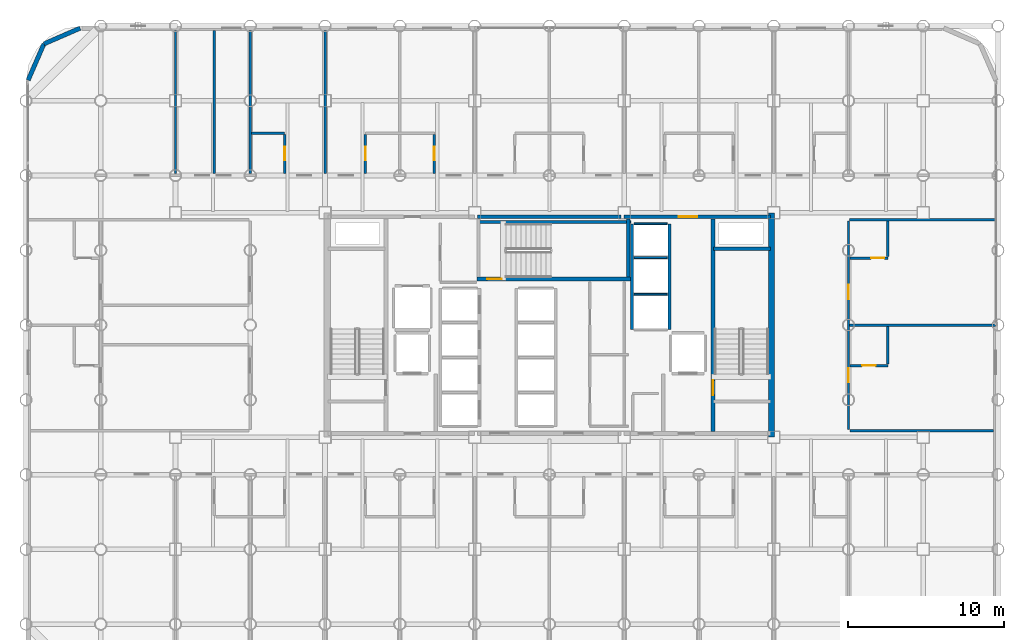
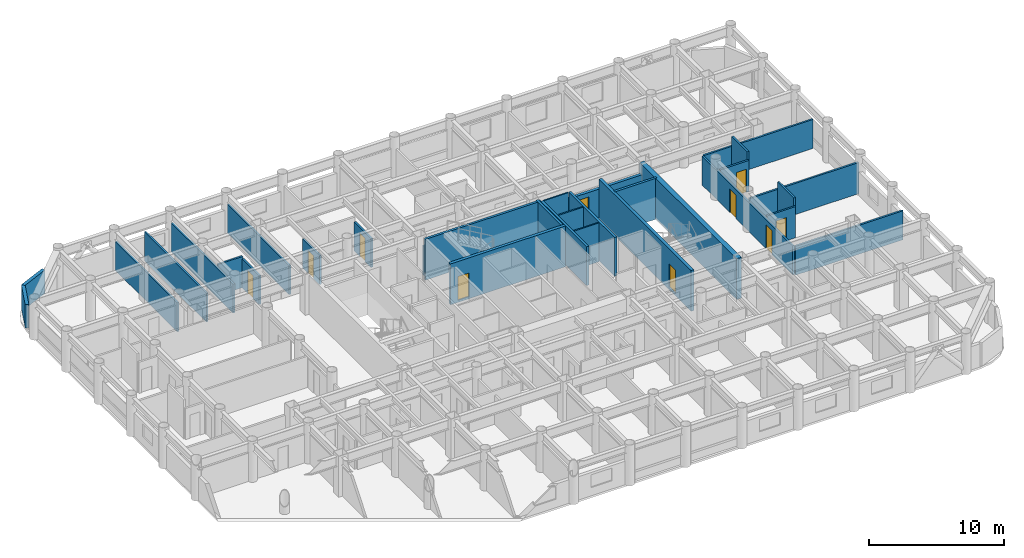
# One storey, part 19 of 22: 31 walls, 10 doors, 10 openings.
"""IFC4 building model written with IfcOpenShell, lengths in metres."""

from ifc_helpers import new_model, si_unit, direction, frame, frame_2d, origin, place, context, subcontext, project, spatial, rectangle, extrude, material, layer, layer_set, type_object, element, fill, save


model = new_model("IFC4")

# Units and contexts
model_context = context("Model", 3, precision=1e-05, world=origin(), true_north=direction((0.0, 1.0)))
body_context = subcontext(model_context, "Body", "Model", "MODEL_VIEW")
ifc_project = project(units=[si_unit("LENGTHUNIT", "METRE"), si_unit("AREAUNIT", "SQUARE_METRE"), si_unit("VOLUMEUNIT", "CUBIC_METRE"), si_unit("PLANEANGLEUNIT", "RADIAN"), si_unit("MASSUNIT", "GRAM", prefix="KILO")], contexts=[model_context])

# Site, building, storey
site_placement = place(None, origin())
site = spatial("IfcSite", under=ifc_project, at=site_placement, CompositionType="ELEMENT")
building_placement = place(site_placement, origin())
building = spatial("IfcBuilding", under=site, at=building_placement, Name="Kallvorn Hotel Tower", CompositionType="ELEMENT")
storey_placement = place(building_placement, frame((0.0, 0.0, 37.39990234375)))
storey = spatial("IfcBuildingStorey", under=building, at=storey_placement, Name="L07", CompositionType="ELEMENT", Elevation=37.39990234375)

# Walls
ifc_material_1 = material(Name="Concrete C50/60", Category="concrete")
ifc_layer_1 = layer(ifc_material_1, 0.39990234375)
ifc_layer_set_1 = layer_set([ifc_layer_1], Name="WL_CORE_400")
wall_type_1 = type_object("IfcWallType", Name="WL_CORE_400", PredefinedType="SHEAR", material=ifc_layer_set_1)
wall_1_placement = place(storey_placement, frame((14.264892578125, -7.199951171875, -0.179931640625), z_axis=(0.0, 0.0, 1.0), x_axis=(0.0, 1.0, 0.0)))
element("IfcWall", 1, at=wall_1_placement, inside=storey, type_object=wall_type_1, Name="L07 Core East Shear Wall", PredefinedType="SHEAR", context=body_context, shape_type="SweptSolid", body=[
    extrude(rectangle(XDim=14.39990234375, YDim=0.39990234375, at=frame_2d((7.199951171875, 0.0))), origin(), (0.0, 0.0, 1.0), 3.699951171875),
])
ifc_material_2 = material(Name="Fire-rated double-layer acoustic gypsum drywall EI 60")
ifc_layer_2 = layer(ifc_material_2, 0.159912109375)
ifc_layer_set_2 = layer_set([ifc_layer_2], Name="WL_DEMISE_160")
wall_type_2 = type_object("IfcWallType", Name="WL_DEMISE_160", PredefinedType="PARTITIONING", material=ifc_layer_set_2)
wall_2_placement = place(storey_placement, frame((19.280029296875, -6.800048828125, 0.0), z_axis=(0.0, 0.0, 1.0), x_axis=(1.0, 0.0, 0.0)))
element("IfcWall", 2, at=wall_2_placement, inside=storey, type_object=wall_type_2, Name="L07 Suite 703 E Loggia King Room Partition", PredefinedType="PARTITIONING", context=body_context, shape_type="SweptSolid", body=[
    extrude(rectangle(XDim=9.22998046875, YDim=0.159912109375, at=frame_2d((4.614990234375, 0.0))), origin(), (0.0, 0.0, 1.0), 2.6201171875),
])

# Wall, opening, door
wall_3_placement = place(storey_placement, frame((19.280029296875, -2.60009765625, 0.0), z_axis=(0.0, 0.0, 1.0), x_axis=(1.0, 0.0, 0.0)))
wall_3 = element("IfcWall", 3, at=wall_3_placement, inside=storey, type_object=wall_type_2, Name="L07 Suite 703 E Loggia King Room Partition", PredefinedType="PARTITIONING", context=body_context, shape_type="SweptSolid", body=[
    extrude(rectangle(XDim=2.449951171875, YDim=0.159912109375, at=frame_2d((1.22509765625, 0.0))), origin(), (0.0, 0.0, 1.0), 2.820068359375),
])
opening_1_placement = place(wall_3_placement, frame((0.794921875, 0.0, 0.0)))
opening_1 = element("IfcOpeningElement", 4, at=opening_1_placement, cuts=wall_3, Name="Opening BD-I", PredefinedType="OPENING", context=body_context, shape_type="SweptSolid", body=[
    extrude(rectangle(XDim=0.860107421875, YDim=2.10009765625, at=frame_2d((0.43017578125, 1.050048828125))), frame((0.0, 0.094970703125, 0.0), z_axis=(0.0, -1.0, 0.0), x_axis=(1.0, 0.0, 0.0)), (0.0, 0.0, 1.0), 0.18994140625),
])
ifc_material_3 = material(Name="Solid-core walnut veneer fire-rated timber door leaf", Category="wood")
door_type_1 = type_object("IfcDoorType", Name="DR_BATH_860x2100", OperationType="NOTDEFINED", PredefinedType="DOOR", material=ifc_material_3)
door_1_placement = place(opening_1_placement, origin())
door_1 = element("IfcDoor", 5, at=door_1_placement, inside=storey, type_object=door_type_1, Name="L07 Suite 703 En-Suite Bathroom Door", OperationType="SINGLE_SWING_LEFT", OverallHeight=2.10009765625, OverallWidth=0.860107421875, PredefinedType="DOOR", context=body_context, shape_type="SweptSolid", body=[
    extrude(rectangle(XDim=0.860107421875, YDim=2.10009765625, at=frame_2d((0.43017578125, 1.050048828125))), frame((0.0, 0.02490234375, 0.0), z_axis=(0.0, -1.0, 0.0), x_axis=(1.0, 0.0, 0.0)), (0.0, 0.0, 1.0), 0.050048828125),
])
fill(opening_1, door_1)

# Wall
wall_4_placement = place(storey_placement, frame((19.280029296875, 0.0, 0.0), z_axis=(0.0, 0.0, 1.0), x_axis=(1.0, 0.0, 0.0)))
element("IfcWall", 6, at=wall_4_placement, inside=storey, type_object=wall_type_2, Name="L07 Suite 704 E Andean Twin Room Partition", PredefinedType="PARTITIONING", context=body_context, shape_type="SweptSolid", body=[
    extrude(rectangle(XDim=9.349853515625, YDim=0.159912109375, at=frame_2d((4.6748046875, 0.0))), origin(), (0.0, 0.0, 1.0), 2.820068359375),
])

# Wall, opening, door
wall_5_placement = place(storey_placement, frame((19.280029296875, 4.300048828125, 0.0), z_axis=(0.0, 0.0, 1.0), x_axis=(1.0, 0.0, 0.0)))
wall_5 = element("IfcWall", 7, at=wall_5_placement, inside=storey, type_object=wall_type_2, Name="L07 Suite 704 E Andean Twin Room Partition", PredefinedType="PARTITIONING", context=body_context, shape_type="SweptSolid", body=[
    extrude(rectangle(XDim=2.449951171875, YDim=0.159912109375, at=frame_2d((1.22509765625, 0.0))), origin(), (0.0, 0.0, 1.0), 2.820068359375),
])
opening_2_placement = place(wall_5_placement, frame((1.3701171875, 0.0, 0.0)))
opening_2 = element("IfcOpeningElement", 8, at=opening_2_placement, cuts=wall_5, Name="Opening BD-I", PredefinedType="OPENING", context=body_context, shape_type="SweptSolid", body=[
    extrude(rectangle(XDim=0.860107421875, YDim=2.10009765625, at=frame_2d((0.43017578125, 1.050048828125))), frame((0.0, 0.094970703125, 0.0), z_axis=(0.0, -1.0, 0.0), x_axis=(1.0, 0.0, 0.0)), (0.0, 0.0, 1.0), 0.18994140625),
])
door_2_placement = place(opening_2_placement, origin())
door_2 = element("IfcDoor", 9, at=door_2_placement, inside=storey, type_object=door_type_1, Name="L07 Suite 704 En-Suite Bathroom Door", OperationType="SINGLE_SWING_RIGHT", OverallHeight=2.10009765625, OverallWidth=0.860107421875, PredefinedType="DOOR", context=body_context, shape_type="SweptSolid", body=[
    extrude(rectangle(XDim=0.860107421875, YDim=2.10009765625, at=frame_2d((0.43017578125, 1.050048828125))), frame((0.0, 0.02490234375, 0.0), z_axis=(0.0, -1.0, 0.0), x_axis=(1.0, 0.0, 0.0)), (0.0, 0.0, 1.0), 0.050048828125),
])
fill(opening_2, door_2)

# Walls
wall_6_placement = place(storey_placement, frame((19.280029296875, 6.75830078125, 0.0), z_axis=(0.0, 0.0, 1.0), x_axis=(1.0, 0.0, 0.0)))
element("IfcWall", 10, at=wall_6_placement, inside=storey, type_object=wall_type_2, Name="L07 Suite 704 E Andean Twin Room Partition", PredefinedType="PARTITIONING", context=body_context, shape_type="SweptSolid", body=[
    extrude(rectangle(XDim=9.349853515625, YDim=0.159912109375, at=frame_2d((4.6748046875, 0.0))), origin(), (0.0, 0.0, 1.0), 2.6201171875),
])
wall_7_placement = place(storey_placement, frame((-19.1201171875, 12.320068359375, 0.0), z_axis=(0.0, 0.0, 1.0), x_axis=(1.0, 0.0, 0.0)))
element("IfcWall", 11, at=wall_7_placement, inside=storey, type_object=wall_type_2, Name="L07 Suite 714 Standard Twin Room Partition", PredefinedType="PARTITIONING", context=body_context, shape_type="SweptSolid", body=[
    extrude(rectangle(XDim=2.130126953125, YDim=0.159912109375, at=frame_2d((1.06494140625, 0.0))), origin(), (0.0, 0.0, 1.0), 2.820068359375),
])
wall_8_placement = place(storey_placement, frame((-19.199951171875, 9.719970703125, 0.0), z_axis=(0.0, 0.0, 1.0), x_axis=(0.0, 1.0, 0.0)))
element("IfcWall", 12, at=wall_8_placement, inside=storey, type_object=wall_type_2, Name="L07 Suite 714 Standard Twin Room Partition", PredefinedType="PARTITIONING", context=body_context, shape_type="SweptSolid", body=[
    extrude(rectangle(XDim=9.18994140625, YDim=0.159912109375, at=frame_2d((4.594970703125, 0.0))), origin(), (0.0, 0.0, 1.0), 2.6201171875),
])

# Wall, opening, door
wall_9_placement = place(storey_placement, frame((-16.989990234375, 9.719970703125, 0.0), z_axis=(0.0, 0.0, 1.0), x_axis=(0.0, 1.0, 0.0)))
wall_9 = element("IfcWall", 13, at=wall_9_placement, inside=storey, type_object=wall_type_2, Name="L07 Suite 714 Standard Twin Room Partition", PredefinedType="PARTITIONING", context=body_context, shape_type="SweptSolid", body=[
    extrude(rectangle(XDim=2.51513671875, YDim=0.159912109375, at=frame_2d((1.257568359375, 0.0))), origin(), (0.0, 0.0, 1.0), 2.6201171875),
])
opening_3_placement = place(wall_9_placement, frame((0.8701171875, 0.0, 0.0)))
opening_3 = element("IfcOpeningElement", 14, at=opening_3_placement, cuts=wall_9, Name="Opening BD-I", PredefinedType="OPENING", context=body_context, shape_type="SweptSolid", body=[
    extrude(rectangle(XDim=0.860107421875, YDim=2.10009765625, at=frame_2d((0.43017578125, 1.050048828125))), frame((0.0, 0.094970703125, 0.0), z_axis=(0.0, -1.0, 0.0), x_axis=(1.0, 0.0, 0.0)), (0.0, 0.0, 1.0), 0.18994140625),
])
door_3_placement = place(opening_3_placement, origin())
door_3 = element("IfcDoor", 15, at=door_3_placement, inside=storey, type_object=door_type_1, Name="L07 Suite 714 En-Suite Bathroom Door", OperationType="SINGLE_SWING_LEFT", OverallHeight=2.10009765625, OverallWidth=0.860107421875, PredefinedType="DOOR", context=body_context, shape_type="SweptSolid", body=[
    extrude(rectangle(XDim=0.860107421875, YDim=2.10009765625, at=frame_2d((0.43017578125, 1.050048828125))), frame((0.0, 0.02490234375, 0.0), z_axis=(0.0, -1.0, 0.0), x_axis=(1.0, 0.0, 0.0)), (0.0, 0.0, 1.0), 0.050048828125),
])
fill(opening_3, door_3)

# Wall
wall_10_placement = place(storey_placement, frame((-14.39990234375, 9.719970703125, 0.0), z_axis=(0.0, 0.0, 1.0), x_axis=(0.0, 1.0, 0.0)))
element("IfcWall", 16, at=wall_10_placement, inside=storey, type_object=wall_type_2, Name="L07 Suite 714 Standard Twin Room Partition", PredefinedType="PARTITIONING", context=body_context, shape_type="SweptSolid", body=[
    extrude(rectangle(XDim=9.18994140625, YDim=0.159912109375, at=frame_2d((4.594970703125, 0.0))), origin(), (0.0, 0.0, 1.0), 2.6201171875),
])

# Wall, opening, door
wall_11_placement = place(storey_placement, frame((-11.81005859375, 9.719970703125, 0.0), z_axis=(0.0, 0.0, 1.0), x_axis=(0.0, 1.0, 0.0)))
wall_11 = element("IfcWall", 17, at=wall_11_placement, inside=storey, type_object=wall_type_2, Name="L07 Suite 715 Standard Twin Room Partition", PredefinedType="PARTITIONING", context=body_context, shape_type="SweptSolid", body=[
    extrude(rectangle(XDim=2.51513671875, YDim=0.159912109375, at=frame_2d((1.257568359375, 0.0))), origin(), (0.0, 0.0, 1.0), 2.6201171875),
])
opening_4_placement = place(wall_11_placement, frame((0.8701171875, 0.0, 0.0)))
opening_4 = element("IfcOpeningElement", 18, at=opening_4_placement, cuts=wall_11, Name="Opening BD-I", PredefinedType="OPENING", context=body_context, shape_type="SweptSolid", body=[
    extrude(rectangle(XDim=0.860107421875, YDim=2.10009765625, at=frame_2d((0.43017578125, 1.050048828125))), frame((0.0, 0.094970703125, 0.0), z_axis=(0.0, -1.0, 0.0), x_axis=(1.0, 0.0, 0.0)), (0.0, 0.0, 1.0), 0.18994140625),
])
door_4_placement = place(opening_4_placement, origin())
door_4 = element("IfcDoor", 19, at=door_4_placement, inside=storey, type_object=door_type_1, Name="L07 Suite 715 En-Suite Bathroom Door", OperationType="SINGLE_SWING_RIGHT", OverallHeight=2.10009765625, OverallWidth=0.860107421875, PredefinedType="DOOR", context=body_context, shape_type="SweptSolid", body=[
    extrude(rectangle(XDim=0.860107421875, YDim=2.10009765625, at=frame_2d((0.43017578125, 1.050048828125))), frame((0.0, 0.02490234375, 0.0), z_axis=(0.0, -1.0, 0.0), x_axis=(1.0, 0.0, 0.0)), (0.0, 0.0, 1.0), 0.050048828125),
])
fill(opening_4, door_4)

wall_12_placement = place(storey_placement, frame((-7.389892578125, 9.719970703125, 0.0), z_axis=(0.0, 0.0, 1.0), x_axis=(0.0, 1.0, 0.0)))
wall_12 = element("IfcWall", 20, at=wall_12_placement, inside=storey, type_object=wall_type_2, Name="L07 Suite 716 Standard Twin Room Partition", PredefinedType="PARTITIONING", context=body_context, shape_type="SweptSolid", body=[
    extrude(rectangle(XDim=2.51513671875, YDim=0.159912109375, at=frame_2d((1.257568359375, 0.0))), origin(), (0.0, 0.0, 1.0), 2.6201171875),
])
opening_5_placement = place(wall_12_placement, frame((0.8701171875, 0.0, 0.0)))
opening_5 = element("IfcOpeningElement", 21, at=opening_5_placement, cuts=wall_12, Name="Opening BD-I", PredefinedType="OPENING", context=body_context, shape_type="SweptSolid", body=[
    extrude(rectangle(XDim=0.860107421875, YDim=2.10009765625, at=frame_2d((0.43017578125, 1.050048828125))), frame((0.0, 0.094970703125, 0.0), z_axis=(0.0, -1.0, 0.0), x_axis=(1.0, 0.0, 0.0)), (0.0, 0.0, 1.0), 0.18994140625),
])
door_5_placement = place(opening_5_placement, origin())
door_5 = element("IfcDoor", 22, at=door_5_placement, inside=storey, type_object=door_type_1, Name="L07 Suite 716 En-Suite Bathroom Door", OperationType="SINGLE_SWING_RIGHT", OverallHeight=2.10009765625, OverallWidth=0.860107421875, PredefinedType="DOOR", context=body_context, shape_type="SweptSolid", body=[
    extrude(rectangle(XDim=0.860107421875, YDim=2.10009765625, at=frame_2d((0.43017578125, 1.050048828125))), frame((0.0, 0.02490234375, 0.0), z_axis=(0.0, -1.0, 0.0), x_axis=(1.0, 0.0, 0.0)), (0.0, 0.0, 1.0), 0.050048828125),
])
fill(opening_5, door_5)

# Wall, openings, doors
wall_13_placement = place(storey_placement, frame((19.199951171875, -6.715087890625, 0.0), z_axis=(0.0, 0.0, 1.0), x_axis=(0.0, 1.0, 0.0)))
wall_13 = element("IfcWall", 23, at=wall_13_placement, inside=storey, type_object=wall_type_2, Name="L07 Suite 703 E Loggia King Room Partition", PredefinedType="PARTITIONING", context=body_context, shape_type="SweptSolid", body=[
    extrude(rectangle(XDim=13.388427734375, YDim=0.159912109375, at=frame_2d((6.6943359375, 0.0))), origin(), (0.0, 0.0, 1.0), 2.6201171875),
])
opening_6_placement = place(wall_13_placement, frame((3.034912109375, 0.0, 0.0)))
opening_6 = element("IfcOpeningElement", 24, at=opening_6_placement, cuts=wall_13, Name="Opening GD1", PredefinedType="OPENING", context=body_context, shape_type="SweptSolid", body=[
    extrude(rectangle(XDim=0.919921875, YDim=2.14990234375, at=frame_2d((0.4599609375, 1.074951171875))), frame((0.0, 0.094970703125, 0.0), z_axis=(0.0, -1.0, 0.0), x_axis=(1.0, 0.0, 0.0)), (0.0, 0.0, 1.0), 0.18994140625),
])
opening_7_placement = place(wall_13_placement, frame((8.385009765625, 0.0, 0.0)))
opening_7 = element("IfcOpeningElement", 25, at=opening_7_placement, cuts=wall_13, Name="Opening GD1", PredefinedType="OPENING", context=body_context, shape_type="SweptSolid", body=[
    extrude(rectangle(XDim=0.919921875, YDim=2.14990234375, at=frame_2d((0.4599609375, 1.074951171875))), frame((0.0, 0.094970703125, 0.0), z_axis=(0.0, -1.0, 0.0), x_axis=(1.0, 0.0, 0.0)), (0.0, 0.0, 1.0), 0.18994140625),
])
ifc_material_4 = material(Name="Solid-core walnut veneer fire-rated timber door leaf", Category="wood")
door_type_2 = type_object("IfcDoorType", Name="DR_GUEST_920x2150", OperationType="NOTDEFINED", PredefinedType="DOOR", material=ifc_material_4)
door_6_placement = place(opening_6_placement, origin())
door_6 = element("IfcDoor", 26, at=door_6_placement, inside=storey, type_object=door_type_2, Name="L07 Suite 703 E Loggia King Room Door", OperationType="SINGLE_SWING_LEFT", OverallHeight=2.14990234375, OverallWidth=0.919921875, PredefinedType="DOOR", context=body_context, shape_type="SweptSolid", body=[
    extrude(rectangle(XDim=0.919921875, YDim=2.14990234375, at=frame_2d((0.4599609375, 1.074951171875))), frame((0.0, 0.02490234375, 0.0), z_axis=(0.0, -1.0, 0.0), x_axis=(1.0, 0.0, 0.0)), (0.0, 0.0, 1.0), 0.050048828125),
])
fill(opening_6, door_6)
door_7_placement = place(opening_7_placement, origin())
door_7 = element("IfcDoor", 27, at=door_7_placement, inside=storey, type_object=door_type_2, Name="L07 Suite 704 E Andean Twin Room Door", OperationType="SINGLE_SWING_RIGHT", OverallHeight=2.14990234375, OverallWidth=0.919921875, PredefinedType="DOOR", context=body_context, shape_type="SweptSolid", body=[
    extrude(rectangle(XDim=0.919921875, YDim=2.14990234375, at=frame_2d((0.4599609375, 1.074951171875))), frame((0.0, 0.02490234375, 0.0), z_axis=(0.0, -1.0, 0.0), x_axis=(1.0, 0.0, 0.0)), (0.0, 0.0, 1.0), 0.050048828125),
])
fill(opening_7, door_7)

# Walls
wall_14_placement = place(storey_placement, frame((21.72998046875, -2.514892578125, 0.0), z_axis=(0.0, 0.0, 1.0), x_axis=(0.0, 1.0, 0.0)))
element("IfcWall", 28, at=wall_14_placement, inside=storey, type_object=wall_type_2, Name="L07 Suite 703 E Loggia King Room Partition", PredefinedType="PARTITIONING", context=body_context, shape_type="SweptSolid", body=[
    extrude(rectangle(XDim=2.414794921875, YDim=0.159912109375, at=frame_2d((1.20751953125, 0.0))), origin(), (0.0, 0.0, 1.0), 3.52001953125),
])
wall_15_placement = place(storey_placement, frame((21.72998046875, 4.385009765625, 0.0), z_axis=(0.0, 0.0, 1.0), x_axis=(0.0, 1.0, 0.0)))
element("IfcWall", 29, at=wall_15_placement, inside=storey, type_object=wall_type_2, Name="L07 Suite 704 E Andean Twin Room Partition", PredefinedType="PARTITIONING", context=body_context, shape_type="SweptSolid", body=[
    extrude(rectangle(XDim=2.288330078125, YDim=0.159912109375, at=frame_2d((1.14404296875, 0.0))), origin(), (0.0, 0.0, 1.0), 3.52001953125),
])
ifc_material_5 = material(Name="Precast basalt-clad insulated concrete wall C40/50", Category="masonry")
ifc_layer_3 = layer(ifc_material_5, 0.280029296875)
ifc_layer_set_3 = layer_set([ifc_layer_3], Name="WL_EXT_LOGGIA_280")
wall_type_3 = type_object("IfcWallType", Name="WL_EXT_LOGGIA_280", PredefinedType="SOLIDWALL", material=ifc_layer_set_3)
wall_16_placement = place(storey_placement, frame((-30.120849609375, 19.057861328125, 0.0), z_axis=(0.0, 0.0, 1.0), x_axis=(-0.917060872934, -0.398747232384, 0.0)))
element("IfcWall", 30, at=wall_16_placement, inside=storey, type_object=wall_type_3, Name="L07 Rounded Corner Exterior Wall NW1", PredefinedType="SOLIDWALL", context=body_context, shape_type="SweptSolid", body=[
    extrude(rectangle(XDim=2.5361328125, YDim=0.280029296875, at=frame_2d((1.26806640625, 0.0))), origin(), (0.0, 0.0, 1.0), 2.1201171875),
])
wall_17_placement = place(storey_placement, frame((-32.446533203125, 18.046630859375, 0.0), z_axis=(0.0, 0.0, 1.0), x_axis=(-0.398792985289, -0.917040977756, 0.0)))
element("IfcWall", 31, at=wall_17_placement, inside=storey, type_object=wall_type_3, Name="L07 Rounded Corner Exterior Wall NW2", PredefinedType="SOLIDWALL", context=body_context, shape_type="SweptSolid", body=[
    extrude(rectangle(XDim=2.536376953125, YDim=0.280029296875, at=frame_2d((1.26806640625, 0.0))), origin(), (0.0, 0.0, 1.0), 2.1201171875),
])
ifc_material_6 = material(Name="Concrete C40/50", Category="concrete")
ifc_layer_4 = layer(ifc_material_6, 0.199951171875)
ifc_layer_set_4 = layer_set([ifc_layer_4], Name="WL_HOIST_200")
wall_type_4 = type_object("IfcWallType", Name="WL_HOIST_200", PredefinedType="SOLIDWALL", material=ifc_layer_set_4)
wall_18_placement = place(storey_placement, frame((10.550048828125, 4.89990234375, -0.179931640625), z_axis=(0.0, 0.0, 1.0), x_axis=(1.0, 0.0, 0.0)))
element("IfcWall", 32, at=wall_18_placement, inside=storey, type_object=wall_type_4, Name="L07 Stair ST2 North Wall", PredefinedType="SOLIDWALL", context=body_context, shape_type="SweptSolid", body=[
    extrude(rectangle(XDim=3.64990234375, YDim=0.199951171875, at=frame_2d((1.824951171875, 0.0))), origin(), (0.0, 0.0, 1.0), 3.699951171875),
])
wall_19_placement = place(storey_placement, frame((-4.64990234375, 6.610107421875, -0.179931640625), z_axis=(0.0, 0.0, 1.0), x_axis=(1.0, 0.0, 0.0)))
element("IfcWall", 33, at=wall_19_placement, inside=storey, type_object=wall_type_4, Name="L07 Stair ST3 Shaft North Wall", PredefinedType="SOLIDWALL", context=body_context, shape_type="SweptSolid", body=[
    extrude(rectangle(XDim=9.89990234375, YDim=0.199951171875, at=frame_2d((4.949951171875, 0.0))), origin(), (0.0, 0.0, 1.0), 3.699951171875),
])
wall_20_placement = place(storey_placement, frame((5.06005859375, 3.080078125, -0.179931640625), z_axis=(0.0, 0.0, 1.0), x_axis=(0.0, 1.0, 0.0)))
element("IfcWall", 34, at=wall_20_placement, inside=storey, type_object=wall_type_4, Name="L07 Stair ST3 East Wall", PredefinedType="SOLIDWALL", context=body_context, shape_type="SweptSolid", body=[
    extrude(rectangle(XDim=3.739990234375, YDim=0.199951171875, at=frame_2d((1.8701171875, 0.0))), origin(), (0.0, 0.0, 1.0), 3.699951171875),
])
for number, where, z_axis, x_axis, name in (
    (35, (7.699951171875, -0.300048828125, 0.0), (0.0, 0.0, 1.0), (0.0, 1.0, 0.0), "L07 Lift Bank OBS Landing Wall"),
    (36, (5.300048828125, -0.300048828125, 0.0), (0.0, 0.0, 1.0), (0.0, 1.0, 0.0), "L07 Lift Bank OBS Rear Shaft Wall"),
):
    element("IfcWall", number, at=place(storey_placement, frame(where, z_axis=z_axis, x_axis=x_axis)), inside=storey, type_object=wall_type_4, Name=name, PredefinedType="SOLIDWALL", context=body_context, shape_type="SweptSolid", body=[
        extrude(rectangle(XDim=6.800048828125, YDim=0.199951171875, at=frame_2d((3.39990234375, 0.0))), origin(), (0.0, 0.0, 1.0), 3.52001953125),
    ])
ifc_material_7 = material(Name="Fire-rated double-layer acoustic gypsum drywall EI 60")
ifc_layer_5 = layer(ifc_material_7, 0.1201171875)
ifc_layer_set_5 = layer_set([ifc_layer_5], Name="WL_INT_120")
wall_type_5 = type_object("IfcWallType", Name="WL_INT_120", PredefinedType="PARTITIONING", material=ifc_layer_set_5)
for number, where, z_axis, x_axis, name in (
    (37, (5.43994140625, 1.97509765625, 0.0), (0.0, 0.0, 1.0), (1.0, 0.0, 0.0), "L07 OB-01 Hoistway Divider"),
    (38, (5.43994140625, 4.324951171875, 0.0), (0.0, 0.0, 1.0), (1.0, 0.0, 0.0), "L07 OB-02 Hoistway Divider"),
    (39, (5.43994140625, 6.5, 0.0), (0.0, 0.0, 1.0), (1.0, 0.0, 0.0), "L07 OB-03 Hoistway Divider"),
):
    element("IfcWall", number, at=place(storey_placement, frame(where, z_axis=z_axis, x_axis=x_axis)), inside=storey, type_object=wall_type_5, Name=name, PredefinedType="PARTITIONING", context=body_context, shape_type="SweptSolid", body=[
        extrude(rectangle(XDim=2.1201171875, YDim=0.1201171875, at=frame_2d((1.06005859375, 0.0))), origin(), (0.0, 0.0, 1.0), 3.52001953125),
    ])
ifc_material_8 = material(Name="Fire-rated double-layer acoustic gypsum drywall EI 60")
ifc_layer_6 = layer(ifc_material_8, 0.14990234375)
ifc_layer_set_6 = layer_set([ifc_layer_6], Name="WL_PART_150")
wall_type_6 = type_object("IfcWallType", Name="WL_PART_150", PredefinedType="PARTITIONING", material=ifc_layer_set_6)
for number, where, z_axis, x_axis, name in (
    (40, (-24.0, 9.719970703125, 0.0), (0.0, 0.0, 1.0), (0.0, 1.0, 0.0), "L07 Housekeeping and Linen Room Partition"),
    (41, (-21.5048828125, 9.719970703125, 0.0), (0.0, 0.0, 1.0), (0.0, 1.0, 0.0), "L07 Guest Tea and Refreshment Bar Partition"),
):
    element("IfcWall", number, at=place(storey_placement, frame(where, z_axis=z_axis, x_axis=x_axis)), inside=storey, type_object=wall_type_6, Name=name, PredefinedType="PARTITIONING", context=body_context, shape_type="SweptSolid", body=[
        extrude(rectangle(XDim=9.18994140625, YDim=0.14990234375, at=frame_2d((4.594970703125, 0.0))), origin(), (0.0, 0.0, 1.0), 2.6201171875),
    ])
ifc_material_9 = material(Name="Concrete C40/50", Category="concrete")
ifc_layer_7 = layer(ifc_material_9, 0.25)
ifc_layer_set_7 = layer_set([ifc_layer_7], Name="WL_SHAFT_250")
wall_type_7 = type_object("IfcWallType", Name="WL_SHAFT_250", PredefinedType="SOLIDWALL", material=ifc_layer_set_7)
wall_21_placement = place(storey_placement, frame((-4.60009765625, 6.949951171875, 0.0), z_axis=(0.0, 0.0, 1.0), x_axis=(1.0, 0.0, 0.0)))
element("IfcWall", 42, at=wall_21_placement, inside=storey, type_object=wall_type_7, Name="L07 Core North-Central Wall", PredefinedType="SOLIDWALL", context=body_context, shape_type="SweptSolid", body=[
    extrude(rectangle(XDim=9.2001953125, YDim=0.25, at=frame_2d((4.60009765625, 0.0))), origin(), (0.0, 0.0, 1.0), 2.6201171875),
])

# Wall, opening, door
wall_22_placement = place(storey_placement, frame((4.800048828125, 6.949951171875, 0.0), z_axis=(0.0, 0.0, 1.0), x_axis=(1.0, 0.0, 0.0)))
wall_22 = element("IfcWall", 43, at=wall_22_placement, inside=storey, type_object=wall_type_7, Name="L07 Core North-East Wall", PredefinedType="SOLIDWALL", context=body_context, shape_type="SweptSolid", body=[
    extrude(rectangle(XDim=9.39990234375, YDim=0.25, at=frame_2d((4.699951171875, 0.0))), origin(), (0.0, 0.0, 1.0), 2.6201171875),
])
opening_8_placement = place(wall_22_placement, frame((3.5, 0.0, 0.0)))
opening_8 = element("IfcOpeningElement", 44, at=opening_8_placement, cuts=wall_22, Name="Opening FD2", PredefinedType="OPENING", context=body_context, shape_type="SweptSolid", body=[
    extrude(rectangle(XDim=1.199951171875, YDim=2.199951171875, at=frame_2d((0.60009765625, 1.10009765625))), frame((0.0, 0.139892578125, 0.0), z_axis=(0.0, -1.0, 0.0), x_axis=(1.0, 0.0, 0.0)), (0.0, 0.0, 1.0), 0.280029296875),
])
ifc_material_10 = material(Name="Galvanised painted steel fire-rated door assembly", Category="steel")
door_type_3 = type_object("IfcDoorType", Name="DR_LOBBY_1200x2200", OperationType="DOUBLE_DOOR_SINGLE_SWING", PredefinedType="DOOR", material=ifc_material_10)
door_8_placement = place(opening_8_placement, origin())
door_8 = element("IfcDoor", 45, at=door_8_placement, inside=storey, type_object=door_type_3, Name="L07 Observatory Shuttle Lobby Door", OperationType="DOUBLE_DOOR_SINGLE_SWING", OverallHeight=2.199951171875, OverallWidth=1.199951171875, PredefinedType="DOOR", context=body_context, shape_type="SweptSolid", body=[
    extrude(rectangle(XDim=1.199951171875, YDim=2.199951171875, at=frame_2d((0.60009765625, 1.10009765625))), frame((0.0, 0.02490234375, 0.0), z_axis=(0.0, -1.0, 0.0), x_axis=(1.0, 0.0, 0.0)), (0.0, 0.0, 1.0), 0.050048828125),
])
fill(opening_8, door_8)

wall_23_placement = place(storey_placement, frame((10.5, -6.820068359375, -0.179931640625), z_axis=(0.0, 0.0, 1.0), x_axis=(0.0, 1.0, 0.0)))
wall_23 = element("IfcWall", 46, at=wall_23_placement, inside=storey, type_object=wall_type_7, Name="L07 Stair ST2 Shaft Wall", PredefinedType="SOLIDWALL", context=body_context, shape_type="SweptSolid", body=[
    extrude(rectangle(XDim=13.64013671875, YDim=0.25, at=frame_2d((6.820068359375, 0.0))), origin(), (0.0, 0.0, 1.0), 3.699951171875),
])
opening_9_placement = place(wall_23_placement, frame((2.320068359375, 0.0, 0.179931640625)))
opening_9 = element("IfcOpeningElement", 47, at=opening_9_placement, cuts=wall_23, Name="Opening SD1", PredefinedType="OPENING", context=body_context, shape_type="SweptSolid", body=[
    extrude(rectangle(XDim=0.949951171875, YDim=2.14990234375, at=frame_2d((0.47509765625, 1.074951171875))), frame((0.0, 0.139892578125, 0.0), z_axis=(0.0, -1.0, 0.0), x_axis=(1.0, 0.0, 0.0)), (0.0, 0.0, 1.0), 0.280029296875),
])
ifc_material_11 = material(Name="Galvanised painted steel fire-rated door assembly", Category="steel")
door_type_4 = type_object("IfcDoorType", Name="DR_STAIR_950x2150", OperationType="NOTDEFINED", PredefinedType="DOOR", material=ifc_material_11)
door_9_placement = place(opening_9_placement, origin())
door_9 = element("IfcDoor", 48, at=door_9_placement, inside=storey, type_object=door_type_4, Name="L07 Exit Stair ST2 Fire Door", OperationType="SINGLE_SWING_RIGHT", OverallHeight=2.14990234375, OverallWidth=0.949951171875, PredefinedType="DOOR", context=body_context, shape_type="SweptSolid", body=[
    extrude(rectangle(XDim=0.949951171875, YDim=2.14990234375, at=frame_2d((0.47509765625, 1.074951171875))), frame((0.0, 0.02490234375, 0.0), z_axis=(0.0, -1.0, 0.0), x_axis=(1.0, 0.0, 0.0)), (0.0, 0.0, 1.0), 0.050048828125),
])
fill(opening_9, door_9)

wall_24_placement = place(storey_placement, frame((-4.64990234375, 2.949951171875, -0.179931640625), z_axis=(0.0, 0.0, 1.0), x_axis=(1.0, 0.0, 0.0)))
wall_24 = element("IfcWall", 49, at=wall_24_placement, inside=storey, type_object=wall_type_7, Name="L07 Stair ST3 Shaft South Wall", PredefinedType="SOLIDWALL", context=body_context, shape_type="SweptSolid", body=[
    extrude(rectangle(XDim=9.89990234375, YDim=0.25, at=frame_2d((4.949951171875, 0.0))), origin(), (0.0, 0.0, 1.0), 3.699951171875),
])
opening_10_placement = place(wall_24_placement, frame((0.64990234375, 0.0, 0.179931640625)))
opening_10 = element("IfcOpeningElement", 50, at=opening_10_placement, cuts=wall_24, Name="Opening SD1", PredefinedType="OPENING", context=body_context, shape_type="SweptSolid", body=[
    extrude(rectangle(XDim=0.949951171875, YDim=2.14990234375, at=frame_2d((0.47509765625, 1.074951171875))), frame((0.0, 0.139892578125, 0.0), z_axis=(0.0, -1.0, 0.0), x_axis=(1.0, 0.0, 0.0)), (0.0, 0.0, 1.0), 0.280029296875),
])
door_10_placement = place(opening_10_placement, origin())
door_10 = element("IfcDoor", 51, at=door_10_placement, inside=storey, type_object=door_type_4, Name="L07 Exit Stair ST3 Fire Door", OperationType="SINGLE_SWING_RIGHT", OverallHeight=2.14990234375, OverallWidth=0.949951171875, PredefinedType="DOOR", context=body_context, shape_type="SweptSolid", body=[
    extrude(rectangle(XDim=0.949951171875, YDim=2.14990234375, at=frame_2d((0.47509765625, 1.074951171875))), frame((0.0, 0.02490234375, 0.0), z_axis=(0.0, -1.0, 0.0), x_axis=(1.0, 0.0, 0.0)), (0.0, 0.0, 1.0), 0.050048828125),
])
fill(opening_10, door_10)

save(model, "model.ifc")
